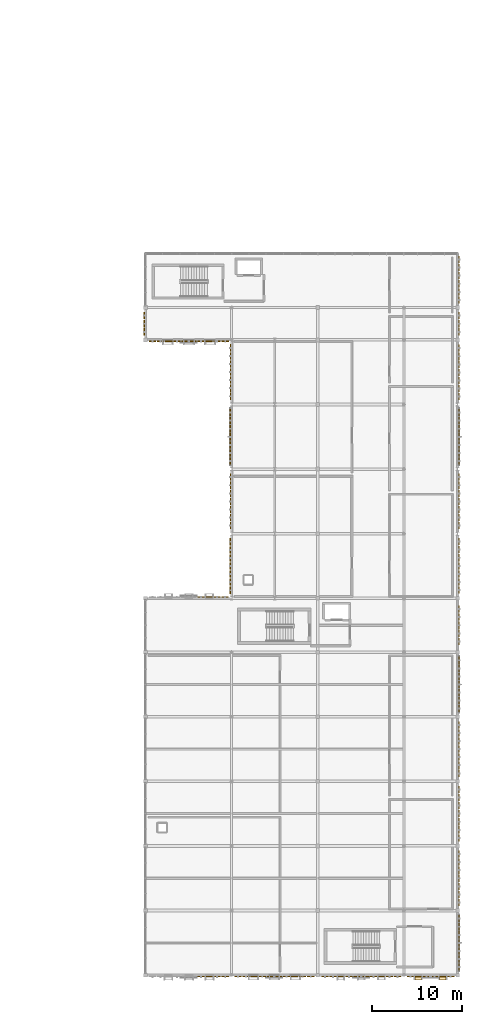
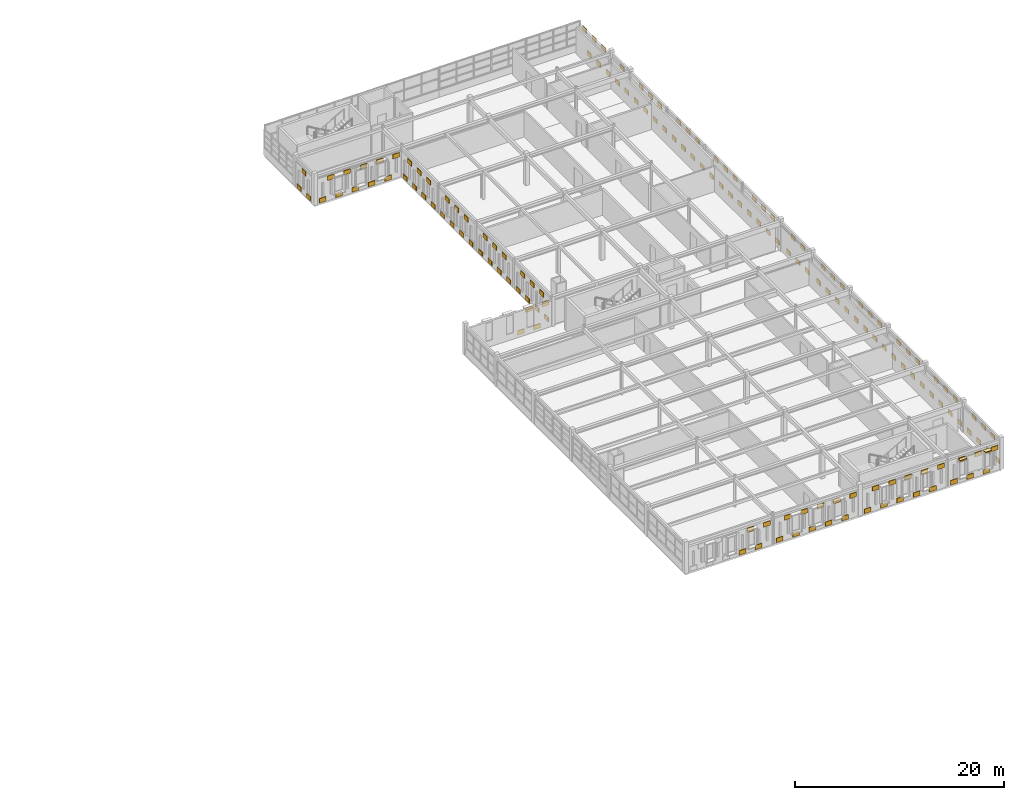
# One storey, part 46 of 46: 154 coverings.
"""IFC4 building model written with IfcOpenShell, lengths in metres."""

from ifc_helpers import new_model, si_unit, direction, frame, origin, origin_2d, place, context, subcontext, project, spatial, rectangle, extrude, material, layer, layer_set, type_object, element, save


model = new_model("IFC4")

# Units and contexts
model_context = context("Model", 3, precision=1e-05, world=origin(), true_north=direction((0.0, 1.0)))
body_context = subcontext(model_context, "Body", "Model", "MODEL_VIEW")
ifc_project = project(units=[si_unit("LENGTHUNIT", "METRE"), si_unit("AREAUNIT", "SQUARE_METRE"), si_unit("VOLUMEUNIT", "CUBIC_METRE"), si_unit("PLANEANGLEUNIT", "RADIAN"), si_unit("MASSUNIT", "GRAM", prefix="KILO")], contexts=[model_context])

# Site, building, storey
site_placement = place(None, origin())
site = spatial("IfcSite", under=ifc_project, at=site_placement, CompositionType="ELEMENT")
building_placement = place(site_placement, origin())
building = spatial("IfcBuilding", under=site, at=building_placement, Name="Nzembalo Square Collegiate School", CompositionType="ELEMENT")
storey_placement = place(building_placement, frame((0.0, 0.0, 17.340087890625)))
storey = spatial("IfcBuildingStorey", under=building, at=storey_placement, Name="L04", CompositionType="ELEMENT", Elevation=17.340087890625)

# Coverings
ifc_material_1 = material(Name="Glazed cobalt ceramic patterned tile")
ifc_layer_1 = layer(ifc_material_1, 0.074951171875, Name="Glazed cobalt ceramic patterned tile")
ifc_layer_set_1 = layer_set([ifc_layer_1], Name="Glazed cobalt ceramic patterned tile")
covering_type_1 = type_object("IfcCoveringType", Name="CL01", PredefinedType="CLADDING", material=ifc_layer_set_1)
for number, where, z_axis, x_axis, name in (
    (1, (136.97998046875, 50.534912109375, 0.099853515625), (0.0, 0.0, 1.0), (1.0, 0.0, 0.0), "Patterned ceramic tile CL01-X0241-6-0"),
    (2, (137.8798828125, 50.534912109375, 2.43896484375), (0.0, 0.0, 1.0), (1.0, 0.0, 0.0), "Patterned ceramic tile CL01-X0241-7-1"),
    (3, (138.780029296875, 50.534912109375, 0.099853515625), (0.0, 0.0, 1.0), (1.0, 0.0, 0.0), "Patterned ceramic tile CL01-X0241-8-0"),
    (4, (139.679931640625, 50.534912109375, 2.43896484375), (0.0, 0.0, 1.0), (1.0, 0.0, 0.0), "Patterned ceramic tile CL01-X0241-9-1"),
):
    element("IfcCovering", number, at=place(storey_placement, frame(where, z_axis=z_axis, x_axis=x_axis)), inside=storey, type_object=covering_type_1, Name=name, PredefinedType="CLADDING", context=body_context, shape_type="SweptSolid", body=[
        extrude(rectangle(XDim=0.739990234375, YDim=0.074951171875, at=origin_2d()), origin(), (0.0, 0.0, 1.0), 0.52001953125),
    ])
for number, where, z_axis, x_axis, name in (
    (5, (140.25, 51.300048828125, 0.099853515625), (0.0, 0.0, 1.0), (1.0, 0.0, 0.0), "Patterned ceramic tile CL01-Y0242-0-0"),
    (6, (140.25, 52.199951171875, 2.43896484375), (0.0, 0.0, 1.0), (1.0, 0.0, 0.0), "Patterned ceramic tile CL01-Y0242-1-1"),
    (7, (140.25, 53.10009765625, 0.099853515625), (0.0, 0.0, 1.0), (1.0, 0.0, 0.0), "Patterned ceramic tile CL01-Y0242-2-0"),
    (8, (140.25, 54.0, 2.43896484375), (0.0, 0.0, 1.0), (1.0, 0.0, 0.0), "Patterned ceramic tile CL01-Y0242-3-1"),
    (9, (140.25, 54.89990234375, 0.099853515625), (0.0, 0.0, 1.0), (1.0, 0.0, 0.0), "Patterned ceramic tile CL01-Y0242-4-0"),
    (10, (140.25, 55.800048828125, 2.43896484375), (0.0, 0.0, 1.0), (1.0, 0.0, 0.0), "Patterned ceramic tile CL01-Y0242-5-1"),
    (11, (140.25, 56.699951171875, 0.099853515625), (0.0, 0.0, 1.0), (1.0, 0.0, 0.0), "Patterned ceramic tile CL01-Y0242-6-0"),
    (12, (140.264892578125, 58.5, 0.099853515625), (0.0, 0.0, 1.0), (1.0, 0.0, 0.0), "Patterned ceramic tile CL01-Y0243-0-0"),
    (13, (140.264892578125, 59.39990234375, 2.43896484375), (0.0, 0.0, 1.0), (1.0, 0.0, 0.0), "Patterned ceramic tile CL01-Y0243-1-1"),
    (14, (140.264892578125, 60.300048828125, 0.099853515625), (0.0, 0.0, 1.0), (1.0, 0.0, 0.0), "Patterned ceramic tile CL01-Y0243-2-0"),
    (15, (140.264892578125, 61.199951171875, 2.43896484375), (0.0, 0.0, 1.0), (1.0, 0.0, 0.0), "Patterned ceramic tile CL01-Y0243-3-1"),
    (16, (140.264892578125, 62.10009765625, 0.099853515625), (0.0, 0.0, 1.0), (1.0, 0.0, 0.0), "Patterned ceramic tile CL01-Y0243-4-0"),
    (17, (140.264892578125, 63.0, 2.43896484375), (0.0, 0.0, 1.0), (1.0, 0.0, 0.0), "Patterned ceramic tile CL01-Y0243-5-1"),
    (18, (140.264892578125, 63.89990234375, 0.099853515625), (0.0, 0.0, 1.0), (1.0, 0.0, 0.0), "Patterned ceramic tile CL01-Y0243-6-0"),
    (19, (140.25, 65.699951171875, 0.099853515625), (0.0, 0.0, 1.0), (1.0, 0.0, 0.0), "Patterned ceramic tile CL01-Y0244-0-0"),
    (20, (140.25, 66.60009765625, 2.43896484375), (0.0, 0.0, 1.0), (1.0, 0.0, 0.0), "Patterned ceramic tile CL01-Y0244-1-1"),
    (21, (140.25, 67.5, 0.099853515625), (0.0, 0.0, 1.0), (1.0, 0.0, 0.0), "Patterned ceramic tile CL01-Y0244-2-0"),
    (22, (140.25, 68.39990234375, 2.43896484375), (0.0, 0.0, 1.0), (1.0, 0.0, 0.0), "Patterned ceramic tile CL01-Y0244-3-1"),
    (23, (140.25, 69.300048828125, 0.099853515625), (0.0, 0.0, 1.0), (1.0, 0.0, 0.0), "Patterned ceramic tile CL01-Y0244-4-0"),
    (24, (140.25, 70.199951171875, 2.43896484375), (0.0, 0.0, 1.0), (1.0, 0.0, 0.0), "Patterned ceramic tile CL01-Y0244-5-1"),
    (25, (140.25, 71.10009765625, 0.099853515625), (0.0, 0.0, 1.0), (1.0, 0.0, 0.0), "Patterned ceramic tile CL01-Y0244-6-0"),
    (26, (140.264892578125, 72.916748046875, 0.099853515625), (0.0, 0.0, 1.0), (1.0, 0.0, 0.0), "Patterned ceramic tile CL01-Y0245-0-0"),
    (27, (140.264892578125, 73.816650390625, 2.408935546875), (0.0, 0.0, 1.0), (1.0, 0.0, 0.0), "Patterned ceramic tile CL01-Y0245-1-1"),
    (28, (140.264892578125, 74.716796875, 0.099853515625), (0.0, 0.0, 1.0), (1.0, 0.0, 0.0), "Patterned ceramic tile CL01-Y0245-2-0"),
    (29, (140.264892578125, 75.61669921875, 2.408935546875), (0.0, 0.0, 1.0), (1.0, 0.0, 0.0), "Patterned ceramic tile CL01-Y0245-3-1"),
    (30, (140.264892578125, 76.5166015625, 0.099853515625), (0.0, 0.0, 1.0), (1.0, 0.0, 0.0), "Patterned ceramic tile CL01-Y0245-4-0"),
    (31, (140.264892578125, 77.416748046875, 2.408935546875), (0.0, 0.0, 1.0), (1.0, 0.0, 0.0), "Patterned ceramic tile CL01-Y0245-5-1"),
    (32, (140.264892578125, 78.316650390625, 0.099853515625), (0.0, 0.0, 1.0), (1.0, 0.0, 0.0), "Patterned ceramic tile CL01-Y0245-6-0"),
):
    element("IfcCovering", number, at=place(storey_placement, frame(where, z_axis=z_axis, x_axis=x_axis)), inside=storey, type_object=covering_type_1, Name=name, PredefinedType="CLADDING", context=body_context, shape_type="SweptSolid", body=[
        extrude(rectangle(XDim=0.074951171875, YDim=0.739990234375, at=origin_2d()), origin(), (0.0, 0.0, 1.0), 0.52001953125),
    ])
for number, where, z_axis, x_axis, name in (
    (33, (131.586669921875, 79.050048828125, 0.099853515625), (0.0, 0.0, 1.0), (1.0, 0.0, 0.0), "Patterned ceramic tile CL01-X0246-0-0"),
    (34, (132.48681640625, 79.050048828125, 2.408935546875), (0.0, 0.0, 1.0), (1.0, 0.0, 0.0), "Patterned ceramic tile CL01-X0246-1-1"),
    (35, (133.38671875, 79.050048828125, 0.099853515625), (0.0, 0.0, 1.0), (1.0, 0.0, 0.0), "Patterned ceramic tile CL01-X0246-2-0"),
    (36, (134.28662109375, 79.050048828125, 2.408935546875), (0.0, 0.0, 1.0), (1.0, 0.0, 0.0), "Patterned ceramic tile CL01-X0246-3-1"),
    (37, (135.186767578125, 79.050048828125, 0.099853515625), (0.0, 0.0, 1.0), (1.0, 0.0, 0.0), "Patterned ceramic tile CL01-X0246-4-0"),
    (38, (136.086669921875, 79.050048828125, 2.408935546875), (0.0, 0.0, 1.0), (1.0, 0.0, 0.0), "Patterned ceramic tile CL01-X0246-5-1"),
    (39, (136.98681640625, 79.050048828125, 0.099853515625), (0.0, 0.0, 1.0), (1.0, 0.0, 0.0), "Patterned ceramic tile CL01-X0246-6-0"),
    (40, (137.88671875, 79.050048828125, 2.408935546875), (0.0, 0.0, 1.0), (1.0, 0.0, 0.0), "Patterned ceramic tile CL01-X0246-7-1"),
    (41, (138.78662109375, 79.050048828125, 0.099853515625), (0.0, 0.0, 1.0), (1.0, 0.0, 0.0), "Patterned ceramic tile CL01-X0246-8-0"),
    (42, (139.686767578125, 79.050048828125, 2.408935546875), (0.0, 0.0, 1.0), (1.0, 0.0, 0.0), "Patterned ceramic tile CL01-X0246-9-1"),
):
    element("IfcCovering", number, at=place(storey_placement, frame(where, z_axis=z_axis, x_axis=x_axis)), inside=storey, type_object=covering_type_1, Name=name, PredefinedType="CLADDING", context=body_context, shape_type="SweptSolid", body=[
        extrude(rectangle(XDim=0.739990234375, YDim=0.074951171875, at=origin_2d()), origin(), (0.0, 0.0, 1.0), 0.52001953125),
    ])
for number, where, z_axis, x_axis, name in (
    (43, (130.6650390625, 80.10009765625, 0.099853515625), (0.0, 0.0, 1.0), (1.0, 0.0, 0.0), "Patterned ceramic tile CL01-Y0247-0-0"),
    (44, (130.6650390625, 81.0, 2.43896484375), (0.0, 0.0, 1.0), (1.0, 0.0, 0.0), "Patterned ceramic tile CL01-Y0247-1-1"),
    (45, (130.6650390625, 81.89990234375, 0.099853515625), (0.0, 0.0, 1.0), (1.0, 0.0, 0.0), "Patterned ceramic tile CL01-Y0247-2-0"),
    (46, (165.75, 9.300048828125, 0.099853515625), (0.0, 0.0, 1.0), (1.0, 0.0, 0.0), "Patterned ceramic tile CL01-Y0248-0-0"),
    (47, (165.75, 10.199951171875, 2.328857421875), (0.0, 0.0, 1.0), (1.0, 0.0, 0.0), "Patterned ceramic tile CL01-Y0248-1-1"),
    (48, (165.75, 11.10009765625, 0.099853515625), (0.0, 0.0, 1.0), (1.0, 0.0, 0.0), "Patterned ceramic tile CL01-Y0248-2-0"),
    (49, (165.75, 12.0, 2.328857421875), (0.0, 0.0, 1.0), (1.0, 0.0, 0.0), "Patterned ceramic tile CL01-Y0248-3-1"),
    (50, (165.75, 12.89990234375, 0.099853515625), (0.0, 0.0, 1.0), (1.0, 0.0, 0.0), "Patterned ceramic tile CL01-Y0248-4-0"),
    (51, (165.75, 13.800048828125, 2.328857421875), (0.0, 0.0, 1.0), (1.0, 0.0, 0.0), "Patterned ceramic tile CL01-Y0248-5-1"),
    (52, (165.75, 14.699951171875, 0.099853515625), (0.0, 0.0, 1.0), (1.0, 0.0, 0.0), "Patterned ceramic tile CL01-Y0248-6-0"),
    (53, (165.735107421875, 16.5, 0.099853515625), (0.0, 0.0, 1.0), (1.0, 0.0, 0.0), "Patterned ceramic tile CL01-Y0249-0-0"),
    (54, (165.735107421875, 17.39990234375, 2.328857421875), (0.0, 0.0, 1.0), (1.0, 0.0, 0.0), "Patterned ceramic tile CL01-Y0249-1-1"),
    (55, (165.735107421875, 18.300048828125, 0.099853515625), (0.0, 0.0, 1.0), (1.0, 0.0, 0.0), "Patterned ceramic tile CL01-Y0249-2-0"),
    (56, (165.735107421875, 19.199951171875, 2.328857421875), (0.0, 0.0, 1.0), (1.0, 0.0, 0.0), "Patterned ceramic tile CL01-Y0249-3-1"),
    (57, (165.735107421875, 20.10009765625, 0.099853515625), (0.0, 0.0, 1.0), (1.0, 0.0, 0.0), "Patterned ceramic tile CL01-Y0249-4-0"),
    (58, (165.735107421875, 21.0, 2.328857421875), (0.0, 0.0, 1.0), (1.0, 0.0, 0.0), "Patterned ceramic tile CL01-Y0249-5-1"),
    (59, (165.735107421875, 21.89990234375, 0.099853515625), (0.0, 0.0, 1.0), (1.0, 0.0, 0.0), "Patterned ceramic tile CL01-Y0249-6-0"),
    (60, (165.75, 23.699951171875, 0.099853515625), (0.0, 0.0, 1.0), (1.0, 0.0, 0.0), "Patterned ceramic tile CL01-Y0250-0-0"),
    (61, (165.75, 24.60009765625, 2.328857421875), (0.0, 0.0, 1.0), (1.0, 0.0, 0.0), "Patterned ceramic tile CL01-Y0250-1-1"),
    (62, (165.75, 25.5, 0.099853515625), (0.0, 0.0, 1.0), (1.0, 0.0, 0.0), "Patterned ceramic tile CL01-Y0250-2-0"),
    (63, (165.75, 26.39990234375, 2.328857421875), (0.0, 0.0, 1.0), (1.0, 0.0, 0.0), "Patterned ceramic tile CL01-Y0250-3-1"),
    (64, (165.75, 27.300048828125, 0.099853515625), (0.0, 0.0, 1.0), (1.0, 0.0, 0.0), "Patterned ceramic tile CL01-Y0250-4-0"),
    (65, (165.75, 28.199951171875, 2.328857421875), (0.0, 0.0, 1.0), (1.0, 0.0, 0.0), "Patterned ceramic tile CL01-Y0250-5-1"),
    (66, (165.75, 29.10009765625, 0.099853515625), (0.0, 0.0, 1.0), (1.0, 0.0, 0.0), "Patterned ceramic tile CL01-Y0250-6-0"),
    (67, (165.735107421875, 30.89990234375, 0.099853515625), (0.0, 0.0, 1.0), (1.0, 0.0, 0.0), "Patterned ceramic tile CL01-Y0251-0-0"),
    (68, (165.735107421875, 31.800048828125, 2.328857421875), (0.0, 0.0, 1.0), (1.0, 0.0, 0.0), "Patterned ceramic tile CL01-Y0251-1-1"),
    (69, (165.735107421875, 32.699951171875, 0.099853515625), (0.0, 0.0, 1.0), (1.0, 0.0, 0.0), "Patterned ceramic tile CL01-Y0251-2-0"),
    (70, (165.735107421875, 33.60009765625, 2.328857421875), (0.0, 0.0, 1.0), (1.0, 0.0, 0.0), "Patterned ceramic tile CL01-Y0251-3-1"),
    (71, (165.735107421875, 34.5, 0.099853515625), (0.0, 0.0, 1.0), (1.0, 0.0, 0.0), "Patterned ceramic tile CL01-Y0251-4-0"),
    (72, (165.735107421875, 35.39990234375, 2.328857421875), (0.0, 0.0, 1.0), (1.0, 0.0, 0.0), "Patterned ceramic tile CL01-Y0251-5-1"),
    (73, (165.735107421875, 36.300048828125, 0.099853515625), (0.0, 0.0, 1.0), (1.0, 0.0, 0.0), "Patterned ceramic tile CL01-Y0251-6-0"),
    (74, (165.75, 38.10009765625, 0.099853515625), (0.0, 0.0, 1.0), (1.0, 0.0, 0.0), "Patterned ceramic tile CL01-Y0252-0-0"),
    (75, (165.75, 39.0, 2.328857421875), (0.0, 0.0, 1.0), (1.0, 0.0, 0.0), "Patterned ceramic tile CL01-Y0252-1-1"),
    (76, (165.75, 39.89990234375, 0.099853515625), (0.0, 0.0, 1.0), (1.0, 0.0, 0.0), "Patterned ceramic tile CL01-Y0252-2-0"),
    (77, (165.75, 40.800048828125, 2.328857421875), (0.0, 0.0, 1.0), (1.0, 0.0, 0.0), "Patterned ceramic tile CL01-Y0252-3-1"),
    (78, (165.75, 41.699951171875, 0.099853515625), (0.0, 0.0, 1.0), (1.0, 0.0, 0.0), "Patterned ceramic tile CL01-Y0252-4-0"),
    (79, (165.75, 42.60009765625, 2.328857421875), (0.0, 0.0, 1.0), (1.0, 0.0, 0.0), "Patterned ceramic tile CL01-Y0252-5-1"),
    (80, (165.75, 43.5, 0.099853515625), (0.0, 0.0, 1.0), (1.0, 0.0, 0.0), "Patterned ceramic tile CL01-Y0252-6-0"),
    (81, (165.735107421875, 45.60009765625, 0.099853515625), (0.0, 0.0, 1.0), (1.0, 0.0, 0.0), "Patterned ceramic tile CL01-Y0253-0-0"),
    (82, (165.735107421875, 46.5, 2.328857421875), (0.0, 0.0, 1.0), (1.0, 0.0, 0.0), "Patterned ceramic tile CL01-Y0253-1-1"),
    (83, (165.735107421875, 47.39990234375, 0.099853515625), (0.0, 0.0, 1.0), (1.0, 0.0, 0.0), "Patterned ceramic tile CL01-Y0253-2-0"),
    (84, (165.735107421875, 48.300048828125, 2.328857421875), (0.0, 0.0, 1.0), (1.0, 0.0, 0.0), "Patterned ceramic tile CL01-Y0253-3-1"),
    (85, (165.735107421875, 49.199951171875, 0.099853515625), (0.0, 0.0, 1.0), (1.0, 0.0, 0.0), "Patterned ceramic tile CL01-Y0253-4-0"),
    (86, (165.75, 51.320068359375, 0.099853515625), (0.0, 0.0, 1.0), (1.0, 0.0, 0.0), "Patterned ceramic tile CL01-Y0254-0-0"),
    (87, (165.75, 52.219970703125, 2.328857421875), (0.0, 0.0, 1.0), (1.0, 0.0, 0.0), "Patterned ceramic tile CL01-Y0254-1-1"),
    (88, (165.75, 53.1201171875, 0.099853515625), (0.0, 0.0, 1.0), (1.0, 0.0, 0.0), "Patterned ceramic tile CL01-Y0254-2-0"),
    (89, (165.75, 54.02001953125, 2.328857421875), (0.0, 0.0, 1.0), (1.0, 0.0, 0.0), "Patterned ceramic tile CL01-Y0254-3-1"),
    (90, (165.75, 54.919921875, 0.099853515625), (0.0, 0.0, 1.0), (1.0, 0.0, 0.0), "Patterned ceramic tile CL01-Y0254-4-0"),
    (91, (165.75, 55.820068359375, 2.328857421875), (0.0, 0.0, 1.0), (1.0, 0.0, 0.0), "Patterned ceramic tile CL01-Y0254-5-1"),
    (92, (165.75, 56.719970703125, 0.099853515625), (0.0, 0.0, 1.0), (1.0, 0.0, 0.0), "Patterned ceramic tile CL01-Y0254-6-0"),
    (93, (165.735107421875, 58.5, 0.099853515625), (0.0, 0.0, 1.0), (1.0, 0.0, 0.0), "Patterned ceramic tile CL01-Y0255-0-0"),
    (94, (165.735107421875, 59.39990234375, 2.5888671875), (0.0, 0.0, 1.0), (1.0, 0.0, 0.0), "Patterned ceramic tile CL01-Y0255-1-1"),
    (95, (165.735107421875, 60.300048828125, 0.099853515625), (0.0, 0.0, 1.0), (1.0, 0.0, 0.0), "Patterned ceramic tile CL01-Y0255-2-0"),
    (96, (165.735107421875, 61.199951171875, 2.5888671875), (0.0, 0.0, 1.0), (1.0, 0.0, 0.0), "Patterned ceramic tile CL01-Y0255-3-1"),
    (97, (165.735107421875, 62.10009765625, 0.099853515625), (0.0, 0.0, 1.0), (1.0, 0.0, 0.0), "Patterned ceramic tile CL01-Y0255-4-0"),
    (98, (165.735107421875, 63.0, 2.5888671875), (0.0, 0.0, 1.0), (1.0, 0.0, 0.0), "Patterned ceramic tile CL01-Y0255-5-1"),
    (99, (165.735107421875, 63.89990234375, 0.099853515625), (0.0, 0.0, 1.0), (1.0, 0.0, 0.0), "Patterned ceramic tile CL01-Y0255-6-0"),
    (100, (165.75, 65.699951171875, 0.099853515625), (0.0, 0.0, 1.0), (1.0, 0.0, 0.0), "Patterned ceramic tile CL01-Y0256-0-0"),
    (101, (165.75, 66.60009765625, 2.5888671875), (0.0, 0.0, 1.0), (1.0, 0.0, 0.0), "Patterned ceramic tile CL01-Y0256-1-1"),
    (102, (165.75, 67.5, 0.099853515625), (0.0, 0.0, 1.0), (1.0, 0.0, 0.0), "Patterned ceramic tile CL01-Y0256-2-0"),
    (103, (165.75, 68.39990234375, 2.5888671875), (0.0, 0.0, 1.0), (1.0, 0.0, 0.0), "Patterned ceramic tile CL01-Y0256-3-1"),
    (104, (165.75, 69.300048828125, 0.099853515625), (0.0, 0.0, 1.0), (1.0, 0.0, 0.0), "Patterned ceramic tile CL01-Y0256-4-0"),
    (105, (165.75, 70.199951171875, 2.5888671875), (0.0, 0.0, 1.0), (1.0, 0.0, 0.0), "Patterned ceramic tile CL01-Y0256-5-1"),
    (106, (165.75, 71.10009765625, 0.099853515625), (0.0, 0.0, 1.0), (1.0, 0.0, 0.0), "Patterned ceramic tile CL01-Y0256-6-0"),
    (107, (165.735107421875, 72.8798828125, 0.099853515625), (0.0, 0.0, 1.0), (1.0, 0.0, 0.0), "Patterned ceramic tile CL01-Y0257-0-0"),
    (108, (165.735107421875, 73.780029296875, 2.328857421875), (0.0, 0.0, 1.0), (1.0, 0.0, 0.0), "Patterned ceramic tile CL01-Y0257-1-1"),
    (109, (165.735107421875, 74.679931640625, 0.099853515625), (0.0, 0.0, 1.0), (1.0, 0.0, 0.0), "Patterned ceramic tile CL01-Y0257-2-0"),
    (110, (165.735107421875, 75.580078125, 2.328857421875), (0.0, 0.0, 1.0), (1.0, 0.0, 0.0), "Patterned ceramic tile CL01-Y0257-3-1"),
    (111, (165.735107421875, 76.47998046875, 0.099853515625), (0.0, 0.0, 1.0), (1.0, 0.0, 0.0), "Patterned ceramic tile CL01-Y0257-4-0"),
    (112, (165.735107421875, 77.3798828125, 2.328857421875), (0.0, 0.0, 1.0), (1.0, 0.0, 0.0), "Patterned ceramic tile CL01-Y0257-5-1"),
    (113, (165.735107421875, 78.280029296875, 0.099853515625), (0.0, 0.0, 1.0), (1.0, 0.0, 0.0), "Patterned ceramic tile CL01-Y0257-6-0"),
    (114, (165.75, 80.10009765625, 0.099853515625), (0.0, 0.0, 1.0), (1.0, 0.0, 0.0), "Patterned ceramic tile CL01-Y0258-0-0"),
    (115, (165.75, 81.0, 2.328857421875), (0.0, 0.0, 1.0), (1.0, 0.0, 0.0), "Patterned ceramic tile CL01-Y0258-1-1"),
    (116, (165.75, 81.89990234375, 0.099853515625), (0.0, 0.0, 1.0), (1.0, 0.0, 0.0), "Patterned ceramic tile CL01-Y0258-2-0"),
    (117, (165.735107421875, 83.656005859375, 0.099853515625), (0.0, 0.0, 1.0), (1.0, 0.0, 0.0), "Patterned ceramic tile CL01-Y0259-0-0"),
    (118, (165.735107421875, 84.555908203125, 2.43896484375), (0.0, 0.0, 1.0), (1.0, 0.0, 0.0), "Patterned ceramic tile CL01-Y0259-1-1"),
    (119, (165.735107421875, 85.4560546875, 0.099853515625), (0.0, 0.0, 1.0), (1.0, 0.0, 0.0), "Patterned ceramic tile CL01-Y0259-2-0"),
    (120, (165.735107421875, 86.35595703125, 2.43896484375), (0.0, 0.0, 1.0), (1.0, 0.0, 0.0), "Patterned ceramic tile CL01-Y0259-3-1"),
    (121, (165.735107421875, 87.256103515625, 0.099853515625), (0.0, 0.0, 1.0), (1.0, 0.0, 0.0), "Patterned ceramic tile CL01-Y0259-4-0"),
    (122, (165.735107421875, 88.156005859375, 2.43896484375), (0.0, 0.0, 1.0), (1.0, 0.0, 0.0), "Patterned ceramic tile CL01-Y0259-5-1"),
):
    element("IfcCovering", number, at=place(storey_placement, frame(where, z_axis=z_axis, x_axis=x_axis)), inside=storey, type_object=covering_type_1, Name=name, PredefinedType="CLADDING", context=body_context, shape_type="SweptSolid", body=[
        extrude(rectangle(XDim=0.074951171875, YDim=0.739990234375, at=origin_2d()), origin(), (0.0, 0.0, 1.0), 0.52001953125),
    ])
for number, where, z_axis, x_axis, name in (
    (123, (136.98681640625, 8.25, 0.099853515625), (0.0, 0.0, 1.0), (1.0, 0.0, 0.0), "Patterned ceramic tile CL01-X0260-6-0"),
    (124, (137.88671875, 8.25, 2.408935546875), (0.0, 0.0, 1.0), (1.0, 0.0, 0.0), "Patterned ceramic tile CL01-X0260-7-1"),
    (125, (138.78662109375, 8.25, 0.099853515625), (0.0, 0.0, 1.0), (1.0, 0.0, 0.0), "Patterned ceramic tile CL01-X0260-8-0"),
    (126, (139.686767578125, 8.25, 2.408935546875), (0.0, 0.0, 1.0), (1.0, 0.0, 0.0), "Patterned ceramic tile CL01-X0260-9-1"),
    (127, (141.11328125, 8.264892578125, 0.099853515625), (0.0, 0.0, 1.0), (1.0, 0.0, 0.0), "Patterned ceramic tile CL01-X0261-0-0"),
    (128, (142.01318359375, 8.264892578125, 2.408935546875), (0.0, 0.0, 1.0), (1.0, 0.0, 0.0), "Patterned ceramic tile CL01-X0261-1-1"),
    (129, (142.913330078125, 8.264892578125, 0.099853515625), (0.0, 0.0, 1.0), (1.0, 0.0, 0.0), "Patterned ceramic tile CL01-X0261-2-0"),
    (130, (143.813232421875, 8.264892578125, 2.408935546875), (0.0, 0.0, 1.0), (1.0, 0.0, 0.0), "Patterned ceramic tile CL01-X0261-3-1"),
    (131, (144.713134765625, 8.264892578125, 0.099853515625), (0.0, 0.0, 1.0), (1.0, 0.0, 0.0), "Patterned ceramic tile CL01-X0261-4-0"),
    (132, (145.61328125, 8.264892578125, 2.408935546875), (0.0, 0.0, 1.0), (1.0, 0.0, 0.0), "Patterned ceramic tile CL01-X0261-5-1"),
    (133, (146.51318359375, 8.264892578125, 0.099853515625), (0.0, 0.0, 1.0), (1.0, 0.0, 0.0), "Patterned ceramic tile CL01-X0261-6-0"),
    (134, (147.413330078125, 8.264892578125, 2.408935546875), (0.0, 0.0, 1.0), (1.0, 0.0, 0.0), "Patterned ceramic tile CL01-X0261-7-1"),
    (135, (148.313232421875, 8.264892578125, 0.099853515625), (0.0, 0.0, 1.0), (1.0, 0.0, 0.0), "Patterned ceramic tile CL01-X0261-8-0"),
    (136, (149.213134765625, 8.264892578125, 2.408935546875), (0.0, 0.0, 1.0), (1.0, 0.0, 0.0), "Patterned ceramic tile CL01-X0261-9-1"),
    (137, (150.78662109375, 8.25, 0.099853515625), (0.0, 0.0, 1.0), (1.0, 0.0, 0.0), "Patterned ceramic tile CL01-X0262-0-0"),
    (138, (151.686767578125, 8.25, 2.408935546875), (0.0, 0.0, 1.0), (1.0, 0.0, 0.0), "Patterned ceramic tile CL01-X0262-1-1"),
    (139, (152.586669921875, 8.25, 0.099853515625), (0.0, 0.0, 1.0), (1.0, 0.0, 0.0), "Patterned ceramic tile CL01-X0262-2-0"),
    (140, (153.48681640625, 8.25, 2.408935546875), (0.0, 0.0, 1.0), (1.0, 0.0, 0.0), "Patterned ceramic tile CL01-X0262-3-1"),
    (141, (154.38671875, 8.25, 0.099853515625), (0.0, 0.0, 1.0), (1.0, 0.0, 0.0), "Patterned ceramic tile CL01-X0262-4-0"),
    (142, (155.28662109375, 8.25, 2.408935546875), (0.0, 0.0, 1.0), (1.0, 0.0, 0.0), "Patterned ceramic tile CL01-X0262-5-1"),
    (143, (156.186767578125, 8.25, 0.099853515625), (0.0, 0.0, 1.0), (1.0, 0.0, 0.0), "Patterned ceramic tile CL01-X0262-6-0"),
    (144, (157.086669921875, 8.25, 2.408935546875), (0.0, 0.0, 1.0), (1.0, 0.0, 0.0), "Patterned ceramic tile CL01-X0262-7-1"),
    (145, (157.98681640625, 8.25, 0.099853515625), (0.0, 0.0, 1.0), (1.0, 0.0, 0.0), "Patterned ceramic tile CL01-X0262-8-0"),
    (146, (158.88671875, 8.25, 2.408935546875), (0.0, 0.0, 1.0), (1.0, 0.0, 0.0), "Patterned ceramic tile CL01-X0262-9-1"),
    (147, (160.313232421875, 8.264892578125, 0.099853515625), (0.0, 0.0, 1.0), (1.0, 0.0, 0.0), "Patterned ceramic tile CL01-X0263-0-0"),
    (148, (161.213134765625, 8.264892578125, 2.408935546875), (0.0, 0.0, 1.0), (1.0, 0.0, 0.0), "Patterned ceramic tile CL01-X0263-1-1"),
    (149, (162.11328125, 8.264892578125, 0.099853515625), (0.0, 0.0, 1.0), (1.0, 0.0, 0.0), "Patterned ceramic tile CL01-X0263-2-0"),
    (150, (163.01318359375, 8.264892578125, 2.408935546875), (0.0, 0.0, 1.0), (1.0, 0.0, 0.0), "Patterned ceramic tile CL01-X0263-3-1"),
    (151, (163.9130859375, 8.264892578125, 0.099853515625), (0.0, 0.0, 1.0), (1.0, 0.0, 0.0), "Patterned ceramic tile CL01-X0263-4-0"),
    (152, (164.813232421875, 8.264892578125, 2.408935546875), (0.0, 0.0, 1.0), (1.0, 0.0, 0.0), "Patterned ceramic tile CL01-X0263-5-1"),
):
    element("IfcCovering", number, at=place(storey_placement, frame(where, z_axis=z_axis, x_axis=x_axis)), inside=storey, type_object=covering_type_1, Name=name, PredefinedType="CLADDING", context=body_context, shape_type="SweptSolid", body=[
        extrude(rectangle(XDim=0.739990234375, YDim=0.074951171875, at=origin_2d()), origin(), (0.0, 0.0, 1.0), 0.52001953125),
    ])
ifc_material_2 = material(Name="Glazed celadon ceramic window frame")
ifc_layer_2 = layer(ifc_material_2, 0.419921875, Name="Glazed celadon ceramic window frame")
ifc_layer_set_2 = layer_set([ifc_layer_2], Name="Glazed celadon ceramic window frame")
covering_type_2 = type_object("IfcCoveringType", Name="WF01", PredefinedType="CLADDING", material=ifc_layer_set_2)
for number, where, z_axis, x_axis, name in (
    (153, (161.183349609375, 8.08740234375, 2.759765625), (0.0, 0.0, 1.0), (1.0, 0.0, 0.0), "Pointed lancet gable WF01-0964-1"),
    (154, (163.943115234375, 8.08740234375, 2.759765625), (0.0, 0.0, 1.0), (1.0, 0.0, 0.0), "Pointed lancet gable WF01-0965-1"),
):
    element("IfcCovering", number, at=place(storey_placement, frame(where, z_axis=z_axis, x_axis=x_axis)), inside=storey, type_object=covering_type_2, Name=name, PredefinedType="CLADDING", context=body_context, shape_type="SweptSolid", body=[
        extrude(rectangle(XDim=0.721923828125, YDim=0.419921875, at=origin_2d()), origin(), (0.0, 0.0, 1.0), 0.1201171875),
    ])

save(model, "model.ifc")
